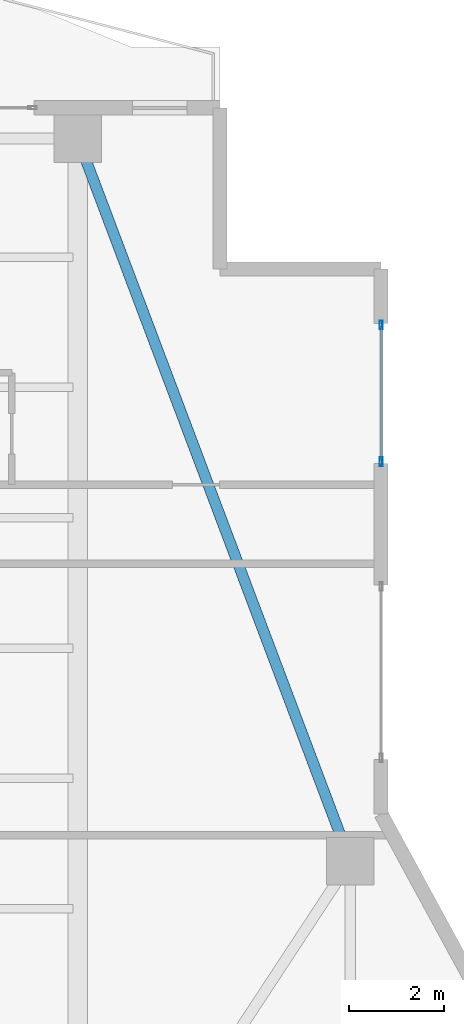
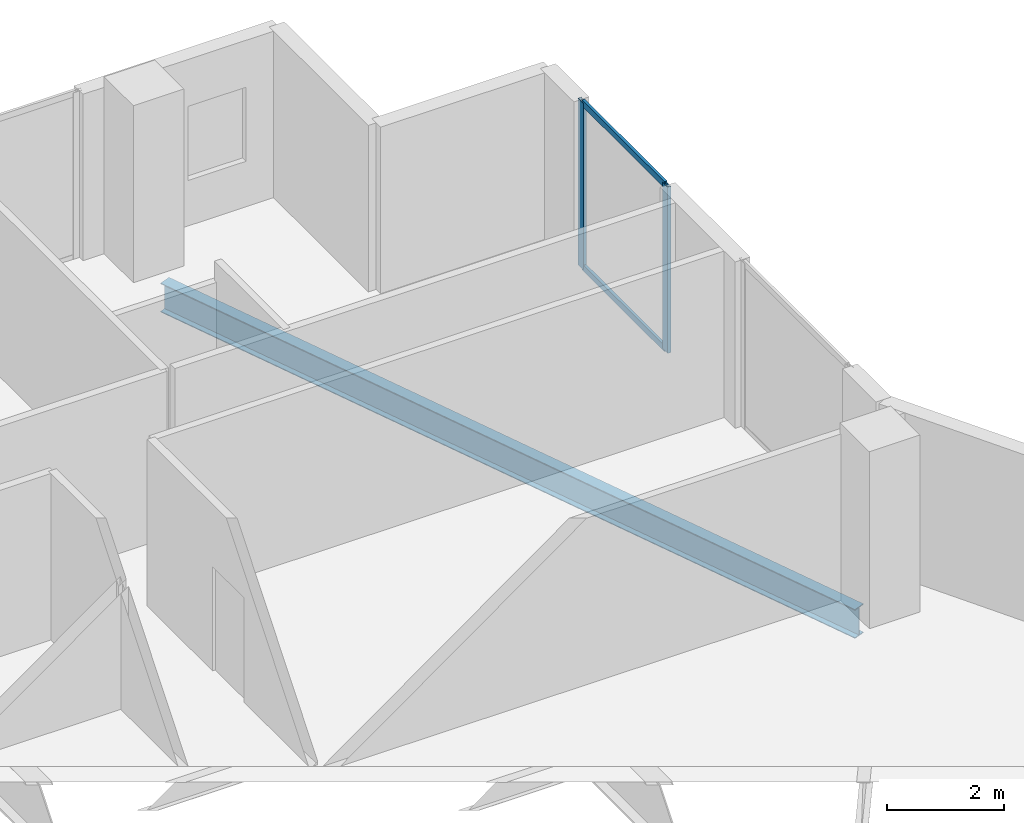
# One storey, part 16 of 25: 4 members, 1 beam, 1 element without a shape of its own.
"""IFC4 building model written with IfcOpenShell, lengths in metres."""

from ifc_helpers import new_model, si_unit, direction, frame, origin, origin_2d, place, context, subcontext, project, spatial, hollow_rectangle, i_section, extrude, material, layer, layer_set, material_profile, profile_set, type_object, element, aggregate, save


model = new_model("IFC4")

# Units and contexts
model_context = context("Model", 3, precision=1e-05, world=origin(), true_north=direction((0.0, 1.0)))
body_context = subcontext(model_context, "Body", "Model", "MODEL_VIEW")
ifc_project = project(units=[si_unit("LENGTHUNIT", "METRE"), si_unit("AREAUNIT", "SQUARE_METRE"), si_unit("VOLUMEUNIT", "CUBIC_METRE"), si_unit("PLANEANGLEUNIT", "RADIAN"), si_unit("MASSUNIT", "GRAM", prefix="KILO")], contexts=[model_context])

# Site, building, storey
site_placement = place(None, origin())
site = spatial("IfcSite", under=ifc_project, at=site_placement, CompositionType="ELEMENT")
building_placement = place(site_placement, origin())
building = spatial("IfcBuilding", under=site, at=building_placement, Name="Zuhayl Quay Hotel", CompositionType="ELEMENT")
storey_placement = place(building_placement, frame((0.0, 0.0, 258.14990234375)))
storey = spatial("IfcBuildingStorey", under=building, at=storey_placement, Name="L65", CompositionType="ELEMENT", Elevation=258.14990234375)

# Beam
ifc_material_1 = material(Name="Steel ASTM A992 Grade 50", Category="steel")
ifc_material_profile_1 = material_profile(ifc_material_1, i_section(OverallWidth=0.22802734375, OverallDepth=0.60693359375, WebThickness=0.01123046875, FlangeThickness=0.017333984375, at=origin_2d()), Name="W24X76")
ifc_profile_set_1 = profile_set([ifc_material_profile_1], Name="Steel ASTM A992 Grade 50")
beam_type = type_object("IfcBeamType", Name="BM_B3_W24X76", PredefinedType="BEAM", material=ifc_profile_set_1)
beam_placement = place(storey_placement, frame((19.3876953125, 23.530517578125, -0.5234375), z_axis=(-0.352796603103, 0.935700035716, 0.0), x_axis=(-0.935700035716, -0.352796603103, 0.0)))
element("IfcBeam", 1, at=beam_placement, inside=storey, type_object=beam_type, Name="L65 Floor Beam RG_L65_06", PredefinedType="BEAM", context=body_context, shape_type="SweptSolid", body=[
    extrude(i_section(OverallWidth=0.22802734375, OverallDepth=0.60693359375, WebThickness=0.01123046875, FlangeThickness=0.017333984375, at=origin_2d()), origin(), (0.0, 0.0, 1.0), 15.3779296875),
])

# Curtain wall, members
ifc_material_2 = material(Name="Anodised Aluminium 6063-T6", Category="aluminium")
ifc_layer = layer(ifc_material_2, 0.169921875, Name="Anodised Aluminium 6063-T6", Category="aluminium")
ifc_layer_set = layer_set([ifc_layer], Name="Anodised Aluminium 6063-T6")
curtain_wall_type = type_object("IfcCurtainWallType", Name="CW_SYS_Z4", PredefinedType="USERDEFINED", material=ifc_layer_set)
curtain_wall_placement = place(storey_placement, origin())
curtain_wall = element("IfcCurtainWall", 2, at=curtain_wall_placement, inside=storey, type_object=curtain_wall_type, Name="L65 Curtain Wall ENV_L65_E11_CW1", ObjectType="UNITISED CURTAIN WALL", PredefinedType="USERDEFINED")
ifc_material_3 = material(Name="Black-anodised aluminium 6063-T6", Category="aluminium")
ifc_material_profile_2 = material_profile(ifc_material_3, hollow_rectangle(XDim=0.06494140625, YDim=0.179931640625, WallThickness=0.00341796875, at=origin_2d()), Name="ALU180X65")
ifc_profile_set_2 = profile_set([ifc_material_profile_2], Name="Black-anodised aluminium 6063-T6")
member_type_1 = type_object("IfcMemberType", Name="MB_CW_MUL_180", PredefinedType="MULLION", material=ifc_profile_set_2)
member_1_placement = place(storey_placement, frame((20.199951171875, 34.41748046875, 0.0), z_axis=(0.0, 0.0, 1.0), x_axis=(1.0, 0.0, 0.0)))
member_1 = element("IfcMember", 3, at=member_1_placement, type_object=member_type_1, Name="CW-Z4 mullion 1", PredefinedType="MULLION", context=body_context, shape_type="SweptSolid", body=[
    extrude(hollow_rectangle(XDim=0.06494140625, YDim=0.179931640625, WallThickness=0.00341796875, at=origin_2d()), origin(), (0.0, 0.0, 1.0), 3.47998046875),
])
member_2_placement = place(storey_placement, frame((20.199951171875, 31.532470703125, 0.0), z_axis=(0.0, 0.0, 1.0), x_axis=(1.0, 0.0, 0.0)))
member_2 = element("IfcMember", 4, at=member_2_placement, type_object=member_type_1, Name="CW-Z4 mullion 2", PredefinedType="MULLION", context=body_context, shape_type="SweptSolid", body=[
    extrude(hollow_rectangle(XDim=0.06494140625, YDim=0.179931640625, WallThickness=0.00341796875, at=origin_2d()), origin(), (0.0, 0.0, 1.0), 3.47998046875),
])
ifc_material_profile_3 = material_profile(ifc_material_3, hollow_rectangle(XDim=0.054931640625, YDim=0.1298828125, WallThickness=0.0029296875, at=origin_2d()), Name="ALU130X55")
ifc_profile_set_3 = profile_set([ifc_material_profile_3], Name="Black-anodised aluminium 6063-T6")
member_type_2 = type_object("IfcMemberType", Name="MB_CW_TRN_130", PredefinedType="USERDEFINED", material=ifc_profile_set_3)
member_3_placement = place(storey_placement, frame((20.199951171875, 34.385009765625, 0.027587890625), z_axis=(0.0, -1.0, 0.0), x_axis=(1.0, 0.0, 0.0)))
member_3 = element("IfcMember", 5, at=member_3_placement, type_object=member_type_2, Name="CW-Z4 transom 1.1", ObjectType="TRANSOM", PredefinedType="USERDEFINED", context=body_context, shape_type="SweptSolid", body=[
    extrude(hollow_rectangle(XDim=0.054931640625, YDim=0.1298828125, WallThickness=0.0029296875, at=origin_2d()), origin(), (0.0, 0.0, 1.0), 2.820068359375),
])
member_4_placement = place(storey_placement, frame((20.199951171875, 34.385009765625, 3.45263671875), z_axis=(0.0, -1.0, 0.0), x_axis=(1.0, 0.0, 0.0)))
member_4 = element("IfcMember", 6, at=member_4_placement, type_object=member_type_2, Name="CW-Z4 transom 1.2", ObjectType="TRANSOM", PredefinedType="USERDEFINED", context=body_context, shape_type="SweptSolid", body=[
    extrude(hollow_rectangle(XDim=0.054931640625, YDim=0.1298828125, WallThickness=0.0029296875, at=origin_2d()), origin(), (0.0, 0.0, 1.0), 2.820068359375),
])
aggregate(curtain_wall, [member_1, member_2, member_3, member_4])

save(model, "model.ifc")
